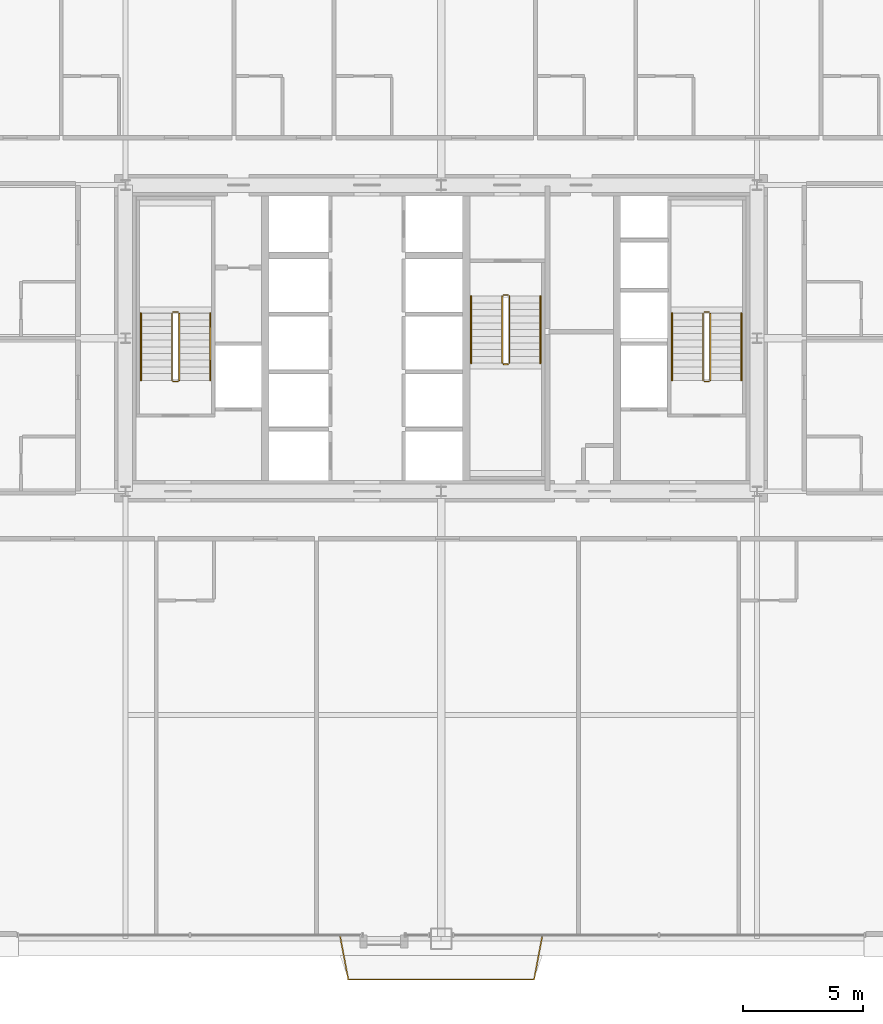
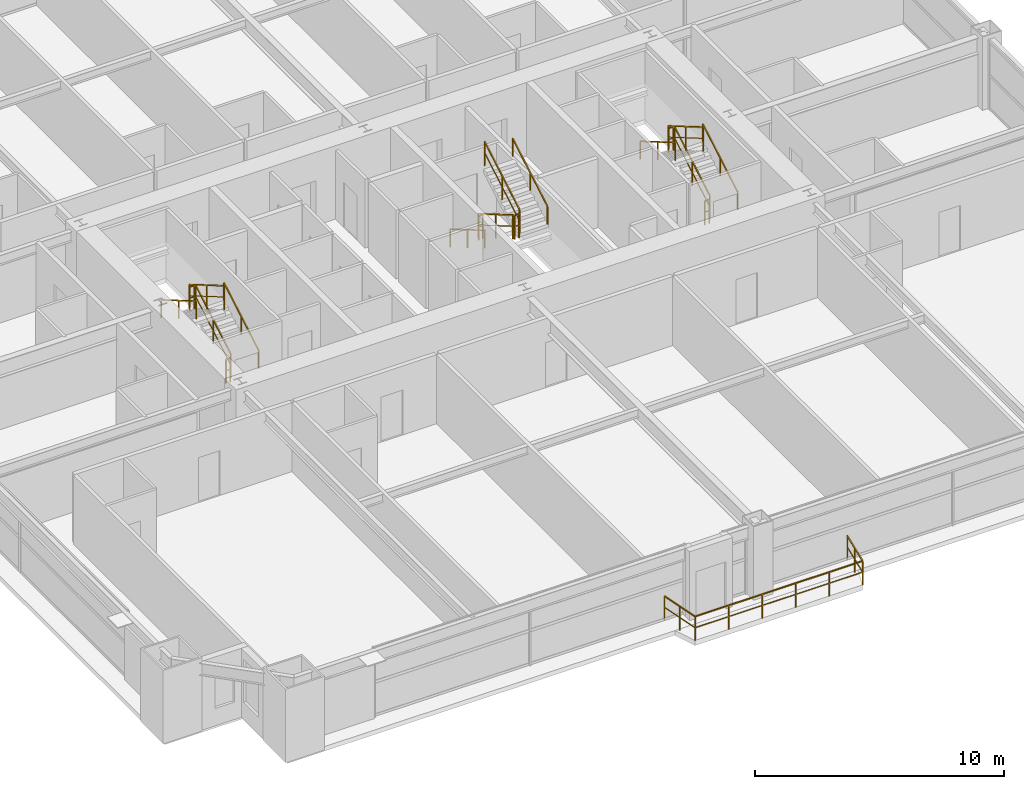
# One storey, part 45 of 45: 19 railings.
"""IFC4 building model written with IfcOpenShell, lengths in metres."""

from ifc_helpers import new_model, si_unit, direction, frame, origin, origin_2d, place, context, subcontext, project, spatial, rectangle, extrude, source, transform, mapped, material, layer, layer_set, type_object, element, save


model = new_model("IFC4")

# Units and contexts
model_context = context("Model", 3, precision=1e-05, world=origin(), true_north=direction((0.0, 1.0)))
body_context = subcontext(model_context, "Body", "Model", "MODEL_VIEW")
ifc_project = project(units=[si_unit("LENGTHUNIT", "METRE"), si_unit("AREAUNIT", "SQUARE_METRE"), si_unit("VOLUMEUNIT", "CUBIC_METRE"), si_unit("PLANEANGLEUNIT", "RADIAN"), si_unit("MASSUNIT", "GRAM", prefix="KILO"), si_unit("THERMODYNAMICTEMPERATUREUNIT", "KELVIN"), si_unit("POWERUNIT", "WATT")], contexts=[model_context])

# Site, building, storey
site_placement = place(None, origin())
site = spatial("IfcSite", under=ifc_project, at=site_placement, CompositionType="ELEMENT")
building_placement = place(site_placement, origin())
building = spatial("IfcBuilding", under=site, at=building_placement, Name="Yuzanri Waterfront Tower", CompositionType="ELEMENT")
storey_placement = place(building_placement, frame((0.0, 0.0, 49.60009765625)))
storey = spatial("IfcBuildingStorey", under=building, at=storey_placement, Name="L12", CompositionType="ELEMENT", Elevation=49.60009765625)

# Railings
ifc_material_1 = material(Name="Anodized Architectural Bronze", Category="metal")
ifc_layer_1 = layer(ifc_material_1, 0.080078125)
ifc_layer_set_1 = layer_set([ifc_layer_1], Name="Anodized Architectural Bronze")
railing_type_1 = type_object("IfcRailingType", Name="Laminated Glass and Bronze Balcony Guardrail 1200", PredefinedType="BALUSTRADE", material=ifc_layer_set_1)
shared_shape_1 = source(origin(), body_context, "Body", "SweptSolid", [
    extrude(rectangle(XDim=0.050048828125, YDim=0.050048828125, at=origin_2d()), frame((0.0, 0.0, 1.1748046875), z_axis=(0.185523437418, -0.982639839498, 0.0), x_axis=(0.982639839498, 0.185523437418, 0.0)), (0.0, 0.0, 1.0), 1.8857421875),
    extrude(rectangle(XDim=0.035888671875, YDim=0.030029296875, at=origin_2d()), frame((0.0, 0.0, 0.6240234375), z_axis=(0.185523437418, -0.982639839498, 0.0), x_axis=(0.982639839498, 0.185523437418, 0.0)), (0.0, 0.0, 1.0), 1.8857421875),
    extrude(rectangle(XDim=0.050048828125, YDim=0.050048828125, at=origin_2d()), frame((0.349853515625, -1.85302734375, 1.1748046875), z_axis=(1.0, 0.0, 0.0), x_axis=(0.0, 1.0, 0.0)), (0.0, 0.0, 1.0), 7.76708984375),
    extrude(rectangle(XDim=0.035888671875, YDim=0.030029296875, at=origin_2d()), frame((0.349853515625, -1.85302734375, 0.6240234375), z_axis=(1.0, 0.0, 0.0), x_axis=(0.0, 1.0, 0.0)), (0.0, 0.0, 1.0), 7.76708984375),
    extrude(rectangle(XDim=0.050048828125, YDim=0.050048828125, at=origin_2d()), frame((8.116943359375, -1.85302734375, 1.1748046875), z_axis=(0.185523437418, 0.982639839498, 0.0), x_axis=(-0.982639839498, 0.185523437418, 0.0)), (0.0, 0.0, 1.0), 1.8857421875),
    extrude(rectangle(XDim=0.035888671875, YDim=0.030029296875, at=origin_2d()), frame((8.116943359375, -1.85302734375, 0.6240234375), z_axis=(0.185523437418, 0.982639839498, 0.0), x_axis=(-0.982639839498, 0.185523437418, 0.0)), (0.0, 0.0, 1.0), 1.8857421875),
    extrude(rectangle(XDim=0.0458984375, YDim=0.0458984375, at=origin_2d()), origin(), (0.0, 0.0, 1.0), 1.14990234375),
    extrude(rectangle(XDim=0.0458984375, YDim=0.0458984375, at=origin_2d()), frame((0.1748046875, -0.926513671875, 0.0)), (0.0, 0.0, 1.0), 1.14990234375),
    extrude(rectangle(XDim=0.0458984375, YDim=0.0458984375, at=origin_2d()), frame((0.349853515625, -1.85302734375, 0.0)), (0.0, 0.0, 1.0), 1.14990234375),
    extrude(rectangle(XDim=0.0458984375, YDim=0.0458984375, at=origin_2d()), frame((1.9033203125, -1.85302734375, 0.0)), (0.0, 0.0, 1.0), 1.14990234375),
    extrude(rectangle(XDim=0.0458984375, YDim=0.0458984375, at=origin_2d()), frame((3.456787109375, -1.85302734375, 0.0)), (0.0, 0.0, 1.0), 1.14990234375),
    extrude(rectangle(XDim=0.0458984375, YDim=0.0458984375, at=origin_2d()), frame((5.010009765625, -1.85302734375, 0.0)), (0.0, 0.0, 1.0), 1.14990234375),
    extrude(rectangle(XDim=0.0458984375, YDim=0.0458984375, at=origin_2d()), frame((6.5634765625, -1.85302734375, 0.0)), (0.0, 0.0, 1.0), 1.14990234375),
    extrude(rectangle(XDim=0.0458984375, YDim=0.0458984375, at=origin_2d()), frame((8.116943359375, -1.85302734375, 0.0)), (0.0, 0.0, 1.0), 1.14990234375),
    extrude(rectangle(XDim=0.0458984375, YDim=0.0458984375, at=origin_2d()), frame((8.2919921875, -0.926513671875, 0.0)), (0.0, 0.0, 1.0), 1.14990234375),
    extrude(rectangle(XDim=0.0458984375, YDim=0.0458984375, at=origin_2d()), frame((8.466796875, 0.0, 0.0)), (0.0, 0.0, 1.0), 1.14990234375),
])
railing_placement = place(storey_placement, frame((32.7666015625, 0.85009765625, 0.0)))
element("IfcRailing", 1, at=railing_placement, inside=storey, type_object=railing_type_1, Name="L12 S Engawa Terrace Guardrail", PredefinedType="BALUSTRADE", context=body_context, shape_type="MappedRepresentation", body=[
    mapped(shared_shape_1, transform((0.0, 0.0, 0.0), scale=1.0)),
])
ifc_material_2 = material(Name="Painted Galvanized Fire Steel", Category="steel")
ifc_layer_2 = layer(ifc_material_2, 0.06005859375)
ifc_layer_set_2 = layer_set([ifc_layer_2], Name="Painted Galvanized Fire Steel")
railing_type_2 = type_object("IfcRailingType", Name="Painted Steel Stairwell Guardrail 1120", PredefinedType="GUARDRAIL", material=ifc_layer_set_2)
shared_shape_2 = source(origin(), body_context, "Body", "SweptSolid", [
    extrude(rectangle(XDim=0.050048828125, YDim=0.050048828125, at=origin_2d()), frame((0.0, 0.0, 1.1748046875), z_axis=(-1.0, 0.0, 0.0), x_axis=(0.0, -1.0, 0.0)), (0.0, 0.0, 1.0), 0.199951171875),
    extrude(rectangle(XDim=0.035888671875, YDim=0.030029296875, at=origin_2d()), frame((0.0, 0.0, 0.6240234375), z_axis=(-1.0, 0.0, 0.0), x_axis=(0.0, -1.0, 0.0)), (0.0, 0.0, 1.0), 0.199951171875),
    extrude(rectangle(XDim=0.0458984375, YDim=0.0458984375, at=origin_2d()), origin(), (0.0, 0.0, 1.0), 1.14990234375),
    extrude(rectangle(XDim=0.0458984375, YDim=0.0458984375, at=origin_2d()), frame((-0.199951171875, 0.0, 0.0)), (0.0, 0.0, 1.0), 1.14990234375),
])
for number, where, name in (
    (2, (26.0, 26.889892578125, 1.7998046875), "L12 ST-01 stair guard 2"),
    (3, (26.0, 23.989990234375, 0.0), "L12 ST-01 stair guard 4"),
    (4, (48.199951171875, 26.889892578125, 1.7998046875), "L12 ST-02 stair guard 2"),
    (5, (48.199951171875, 23.989990234375, 0.0), "L12 ST-02 stair guard 4"),
):
    element("IfcRailing", number, at=place(storey_placement, frame(where)), inside=storey, type_object=railing_type_2, Name=name, PredefinedType="GUARDRAIL", context=body_context, shape_type="MappedRepresentation", body=[
        mapped(shared_shape_2, transform((0.0, 0.0, 0.0), scale=1.0)),
    ])
shared_shape_3 = source(origin(), body_context, "Body", "SweptSolid", [
    extrude(rectangle(XDim=0.050048828125, YDim=0.050048828125, at=origin_2d()), frame((0.0, 0.0, 1.1748046875), z_axis=(0.0, 0.863393664356, 0.504530851732), x_axis=(-1.0, 0.0, 0.0)), (0.0, 0.0, 1.0), 3.2431640625),
    extrude(rectangle(XDim=0.035888671875, YDim=0.030029296875, at=origin_2d()), frame((0.0, 0.0, 0.6240234375), z_axis=(0.0, 0.863393664356, 0.504530851732), x_axis=(-1.0, 0.0, 0.0)), (0.0, 0.0, 1.0), 3.2431640625),
    extrude(rectangle(XDim=0.0458984375, YDim=0.0458984375, at=origin_2d()), origin(), (0.0, 0.0, 1.0), 1.14990234375),
    extrude(rectangle(XDim=0.0458984375, YDim=0.0458984375, at=origin_2d()), frame((0.0, 1.39990234375, 0.818115234375)), (0.0, 0.0, 1.0), 1.14990234375),
    extrude(rectangle(XDim=0.0458984375, YDim=0.0458984375, at=origin_2d()), frame((0.0, 2.800048828125, 1.63623046875)), (0.0, 0.0, 1.0), 1.14990234375),
])
for number, where, name in (
    (6, (26.050048828125, 24.0400390625, 0.16357421875), "L12 ST-01 stair guard 1"),
    (7, (48.25, 24.0400390625, 0.16357421875), "L12 ST-02 stair guard 1"),
    (8, (39.85009765625, 24.760009765625, 1.963623046875), "L12 ST-03 stair guard 3"),
):
    element("IfcRailing", number, at=place(storey_placement, frame(where)), inside=storey, type_object=railing_type_2, Name=name, PredefinedType="GUARDRAIL", context=body_context, shape_type="MappedRepresentation", body=[
        mapped(shared_shape_3, transform((0.0, 0.0, 0.0), scale=1.0)),
    ])
shared_shape_4 = source(origin(), body_context, "Body", "SweptSolid", [
    extrude(rectangle(XDim=0.050048828125, YDim=0.050048828125, at=origin_2d()), frame((0.0, 0.0, 1.1748046875), z_axis=(0.0, -0.863393664356, 0.504530851732), x_axis=(1.0, 0.0, 0.0)), (0.0, 0.0, 1.0), 3.2431640625),
    extrude(rectangle(XDim=0.035888671875, YDim=0.030029296875, at=origin_2d()), frame((0.0, 0.0, 0.6240234375), z_axis=(0.0, -0.863393664356, 0.504530851732), x_axis=(1.0, 0.0, 0.0)), (0.0, 0.0, 1.0), 3.2431640625),
    extrude(rectangle(XDim=0.0458984375, YDim=0.0458984375, at=origin_2d()), origin(), (0.0, 0.0, 1.0), 1.14990234375),
    extrude(rectangle(XDim=0.0458984375, YDim=0.0458984375, at=origin_2d()), frame((0.0, -1.39990234375, 0.818115234375)), (0.0, 0.0, 1.0), 1.14990234375),
    extrude(rectangle(XDim=0.0458984375, YDim=0.0458984375, at=origin_2d()), frame((0.0, -2.800048828125, 1.63623046875)), (0.0, 0.0, 1.0), 1.14990234375),
])
for number, where, name in (
    (9, (25.75, 26.840087890625, 1.963623046875), "L12 ST-01 stair guard 3"),
    (10, (47.949951171875, 26.840087890625, 1.963623046875), "L12 ST-02 stair guard 3"),
    (11, (39.550048828125, 27.56005859375, 0.16357421875), "L12 ST-03 stair guard 1"),
):
    element("IfcRailing", number, at=place(storey_placement, frame(where)), inside=storey, type_object=railing_type_2, Name=name, PredefinedType="GUARDRAIL", context=body_context, shape_type="MappedRepresentation", body=[
        mapped(shared_shape_4, transform((0.0, 0.0, 0.0), scale=1.0)),
    ])
ifc_material_3 = material(Name="Anodized Architectural Bronze", Category="metal")
ifc_layer_3 = layer(ifc_material_3, 0.050048828125)
ifc_layer_set_3 = layer_set([ifc_layer_3], Name="Anodized Architectural Bronze")
railing_type_3 = type_object("IfcRailingType", Name="Brushed Bronze Stair Pitch Handrail 920", PredefinedType="HANDRAIL", material=ifc_layer_set_3)
shared_shape_5 = source(origin(), body_context, "Body", "SweptSolid", [
    extrude(rectangle(XDim=0.050048828125, YDim=0.050048828125, at=origin_2d()), frame((0.0, 0.0, 0.875), z_axis=(0.0, 0.863393664356, 0.504530851732), x_axis=(-1.0, 0.0, 0.0)), (0.0, 0.0, 1.0), 3.2431640625),
    extrude(rectangle(XDim=0.0458984375, YDim=0.0458984375, at=origin_2d()), origin(), (0.0, 0.0, 1.0), 0.849853515625),
    extrude(rectangle(XDim=0.0458984375, YDim=0.0458984375, at=origin_2d()), frame((0.0, 1.39990234375, 0.818115234375)), (0.0, 0.0, 1.0), 0.849853515625),
    extrude(rectangle(XDim=0.0458984375, YDim=0.0458984375, at=origin_2d()), frame((0.0, 2.800048828125, 1.63623046875)), (0.0, 0.0, 1.0), 0.849853515625),
])
for number, where, name in (
    (12, (27.35009765625, 24.0400390625, 0.16357421875), "L12 ST-01 stair handrail 1"),
    (13, (49.550048828125, 24.0400390625, 0.16357421875), "L12 ST-02 stair handrail 1"),
    (14, (41.14990234375, 24.760009765625, 1.963623046875), "L12 ST-03 stair handrail 2"),
):
    element("IfcRailing", number, at=place(storey_placement, frame(where)), inside=storey, type_object=railing_type_3, Name=name, PredefinedType="HANDRAIL", context=body_context, shape_type="MappedRepresentation", body=[
        mapped(shared_shape_5, transform((0.0, 0.0, 0.0), scale=1.0)),
    ])
shared_shape_6 = source(origin(), body_context, "Body", "SweptSolid", [
    extrude(rectangle(XDim=0.050048828125, YDim=0.050048828125, at=origin_2d()), frame((0.0, 0.0, 0.875), z_axis=(0.0, -0.863393664356, 0.504530851732), x_axis=(1.0, 0.0, 0.0)), (0.0, 0.0, 1.0), 3.2431640625),
    extrude(rectangle(XDim=0.0458984375, YDim=0.0458984375, at=origin_2d()), origin(), (0.0, 0.0, 1.0), 0.849853515625),
    extrude(rectangle(XDim=0.0458984375, YDim=0.0458984375, at=origin_2d()), frame((0.0, -1.39990234375, 0.818115234375)), (0.0, 0.0, 1.0), 0.849853515625),
    extrude(rectangle(XDim=0.0458984375, YDim=0.0458984375, at=origin_2d()), frame((0.0, -2.800048828125, 1.63623046875)), (0.0, 0.0, 1.0), 0.849853515625),
])
for number, where, name in (
    (15, (24.449951171875, 26.840087890625, 1.963623046875), "L12 ST-01 stair handrail 2"),
    (16, (46.64990234375, 26.840087890625, 1.963623046875), "L12 ST-02 stair handrail 2"),
    (17, (38.25, 27.56005859375, 0.16357421875), "L12 ST-03 stair handrail 1"),
):
    element("IfcRailing", number, at=place(storey_placement, frame(where)), inside=storey, type_object=railing_type_3, Name=name, PredefinedType="HANDRAIL", context=body_context, shape_type="MappedRepresentation", body=[
        mapped(shared_shape_6, transform((0.0, 0.0, 0.0), scale=1.0)),
    ])
shared_shape_7 = source(origin(), body_context, "Body", "SweptSolid", [
    extrude(rectangle(XDim=0.050048828125, YDim=0.050048828125, at=origin_2d()), frame((0.0, 0.0, 1.1748046875), z_axis=(1.0, 0.0, 0.0), x_axis=(0.0, 1.0, 0.0)), (0.0, 0.0, 1.0), 0.199951171875),
    extrude(rectangle(XDim=0.035888671875, YDim=0.030029296875, at=origin_2d()), frame((0.0, 0.0, 0.6240234375), z_axis=(1.0, 0.0, 0.0), x_axis=(0.0, 1.0, 0.0)), (0.0, 0.0, 1.0), 0.199951171875),
    extrude(rectangle(XDim=0.0458984375, YDim=0.0458984375, at=origin_2d()), origin(), (0.0, 0.0, 1.0), 1.14990234375),
    extrude(rectangle(XDim=0.0458984375, YDim=0.0458984375, at=origin_2d()), frame((0.199951171875, 0.0, 0.0)), (0.0, 0.0, 1.0), 1.14990234375),
])
for number, where, name in (
    (18, (39.60009765625, 24.7099609375, 1.7998046875), "L12 ST-03 stair guard 2"),
    (19, (39.60009765625, 27.610107421875, 0.0), "L12 ST-03 stair guard 4"),
):
    element("IfcRailing", number, at=place(storey_placement, frame(where)), inside=storey, type_object=railing_type_2, Name=name, PredefinedType="GUARDRAIL", context=body_context, shape_type="MappedRepresentation", body=[
        mapped(shared_shape_7, transform((0.0, 0.0, 0.0), scale=1.0)),
    ])

save(model, "model.ifc")
